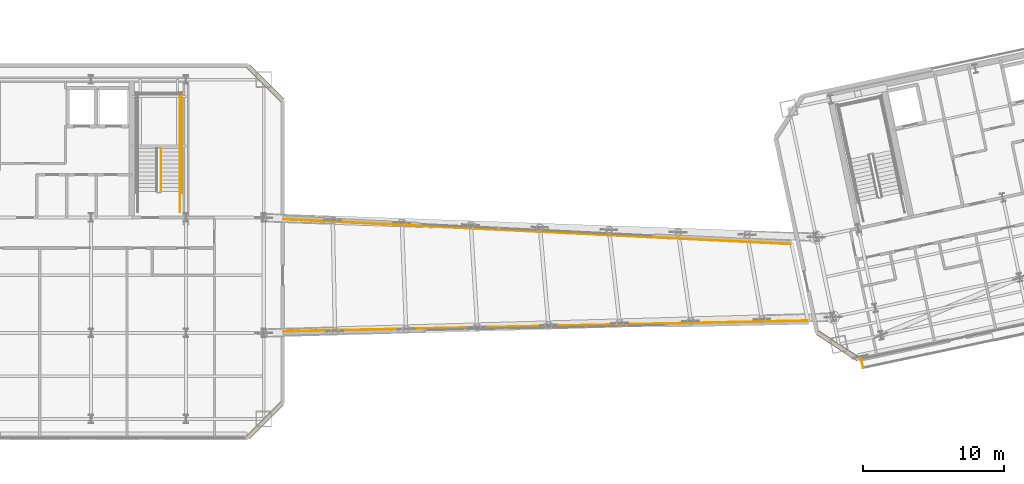
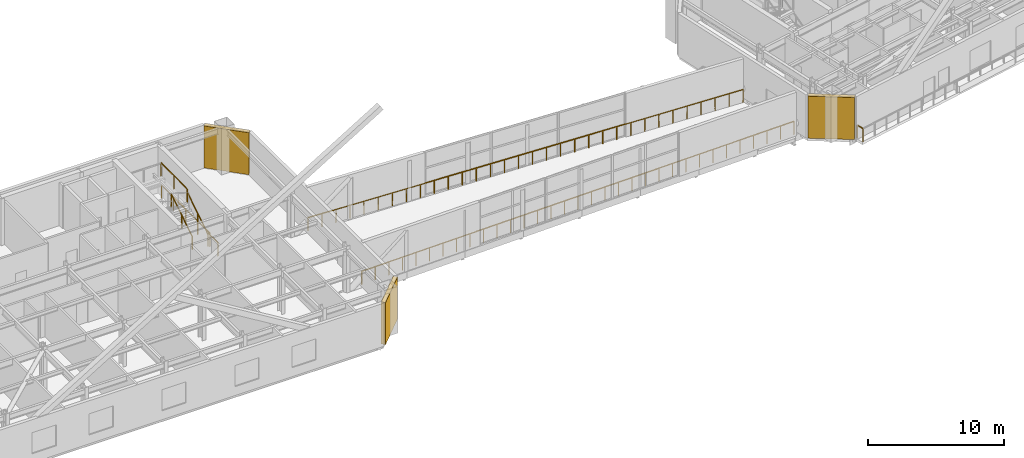
# One storey, part 22 of 23: 8 railings, 3 shading devices.
"""IFC4 building model written with IfcOpenShell, lengths in metres."""

from ifc_helpers import new_model, si_unit, direction, frame, origin, origin_2d, place, context, subcontext, project, spatial, rectangle, extrude, material, layer, layer_set, type_object, element, save


model = new_model("IFC4")

# Units and contexts
model_context = context("Model", 3, precision=1e-05, world=origin(), true_north=direction((0.0, 1.0)))
body_context = subcontext(model_context, "Body", "Model", "MODEL_VIEW")
ifc_project = project(units=[si_unit("LENGTHUNIT", "METRE"), si_unit("AREAUNIT", "SQUARE_METRE"), si_unit("VOLUMEUNIT", "CUBIC_METRE"), si_unit("PLANEANGLEUNIT", "RADIAN"), si_unit("MASSUNIT", "GRAM", prefix="KILO")], contexts=[model_context])

# Site, building, storey
site_placement = place(None, origin())
site = spatial("IfcSite", under=ifc_project, at=site_placement, CompositionType="ELEMENT")
building_placement = place(site_placement, origin())
building = spatial("IfcBuilding", under=site, at=building_placement, Name="Haevon Station Towers", CompositionType="ELEMENT")
storey_placement = place(building_placement, frame((0.0, 0.0, 197.10009765625)))
storey = spatial("IfcBuildingStorey", under=building, at=storey_placement, Name="L54", CompositionType="ELEMENT", Elevation=197.10009765625)

# Railings
ifc_material_1 = material(Name="Steel S355", Category="steel")
railing_type_1 = type_object("IfcRailingType", Name="GRD-EXT1200", PredefinedType="GUARDRAIL", material=ifc_material_1)
railing_1_placement = place(storey_placement, frame((98.9697265625, 28.1474609375, 0.0)))
element("IfcRailing", 1, at=railing_1_placement, inside=storey, type_object=railing_type_1, Name="L54 Perimeter Guardrail 3", PredefinedType="GUARDRAIL", context=body_context, shape_type="SweptSolid", body=[
    extrude(rectangle(XDim=0.048095703125, YDim=0.048095703125, at=origin_2d()), frame((0.0, 0.0, 1.17578125), z_axis=(0.20778471153, -0.9781745824, 0.0), x_axis=(0.9781745824, 0.20778471153, 0.0)), (0.0, 0.0, 1.0), 0.630859375),
    extrude(rectangle(XDim=0.0419921875, YDim=0.0419921875, at=origin_2d()), origin(), (0.0, 0.0, 1.0), 1.15185546875),
    extrude(rectangle(XDim=0.0419921875, YDim=0.0419921875, at=origin_2d()), frame((0.131103515625, -0.6171875, 0.0)), (0.0, 0.0, 1.0), 1.15185546875),
])
railing_2_placement = place(storey_placement, frame((57.929931640625, 30.1201171875, 0.0)))
element("IfcRailing", 2, at=railing_2_placement, inside=storey, type_object=railing_type_1, Name="L54 Sky-Park Gallery S Guardrail", PredefinedType="GUARDRAIL", context=body_context, shape_type="SweptSolid", body=[
    extrude(rectangle(XDim=0.048095703125, YDim=0.048095703125, at=origin_2d()), frame((0.0, 0.0, 1.17578125), z_axis=(0.99979134878, 0.020426916195, 0.0), x_axis=(-0.020426916195, 0.99979134878, 0.0)), (0.0, 0.0, 1.0), 37.2421875),
    extrude(rectangle(XDim=0.0419921875, YDim=0.0419921875, at=origin_2d()), origin(), (0.0, 0.0, 1.0), 1.15185546875),
    extrude(rectangle(XDim=0.0419921875, YDim=0.0419921875, at=origin_2d()), frame((1.16357421875, 0.023681640625, 0.0)), (0.0, 0.0, 1.0), 1.15185546875),
    extrude(rectangle(XDim=0.0419921875, YDim=0.0419921875, at=origin_2d()), frame((2.3271484375, 0.047607421875, 0.0)), (0.0, 0.0, 1.0), 1.15185546875),
    extrude(rectangle(XDim=0.0419921875, YDim=0.0419921875, at=origin_2d()), frame((3.49072265625, 0.0712890625, 0.0)), (0.0, 0.0, 1.0), 1.15185546875),
    extrude(rectangle(XDim=0.0419921875, YDim=0.0419921875, at=origin_2d()), frame((4.654296875, 0.09521484375, 0.0)), (0.0, 0.0, 1.0), 1.15185546875),
    extrude(rectangle(XDim=0.0419921875, YDim=0.0419921875, at=origin_2d()), frame((5.81787109375, 0.118896484375, 0.0)), (0.0, 0.0, 1.0), 1.15185546875),
    extrude(rectangle(XDim=0.0419921875, YDim=0.0419921875, at=origin_2d()), frame((6.9814453125, 0.142578125, 0.0)), (0.0, 0.0, 1.0), 1.15185546875),
    extrude(rectangle(XDim=0.0419921875, YDim=0.0419921875, at=origin_2d()), frame((8.14501953125, 0.16650390625, 0.0)), (0.0, 0.0, 1.0), 1.15185546875),
    extrude(rectangle(XDim=0.0419921875, YDim=0.0419921875, at=origin_2d()), frame((9.30859375, 0.190185546875, 0.0)), (0.0, 0.0, 1.0), 1.15185546875),
    extrude(rectangle(XDim=0.0419921875, YDim=0.0419921875, at=origin_2d()), frame((10.47216796875, 0.2138671875, 0.0)), (0.0, 0.0, 1.0), 1.15185546875),
    extrude(rectangle(XDim=0.0419921875, YDim=0.0419921875, at=origin_2d()), frame((11.6357421875, 0.23779296875, 0.0)), (0.0, 0.0, 1.0), 1.15185546875),
    extrude(rectangle(XDim=0.0419921875, YDim=0.0419921875, at=origin_2d()), frame((12.79931640625, 0.261474609375, 0.0)), (0.0, 0.0, 1.0), 1.15185546875),
    extrude(rectangle(XDim=0.0419921875, YDim=0.0419921875, at=origin_2d()), frame((13.962890625, 0.28515625, 0.0)), (0.0, 0.0, 1.0), 1.15185546875),
    extrude(rectangle(XDim=0.0419921875, YDim=0.0419921875, at=origin_2d()), frame((15.12646484375, 0.30908203125, 0.0)), (0.0, 0.0, 1.0), 1.15185546875),
    extrude(rectangle(XDim=0.0419921875, YDim=0.0419921875, at=origin_2d()), frame((16.2900390625, 0.332763671875, 0.0)), (0.0, 0.0, 1.0), 1.15185546875),
    extrude(rectangle(XDim=0.0419921875, YDim=0.0419921875, at=origin_2d()), frame((17.45361328125, 0.356689453125, 0.0)), (0.0, 0.0, 1.0), 1.15185546875),
    extrude(rectangle(XDim=0.0419921875, YDim=0.0419921875, at=origin_2d()), frame((18.6171875, 0.38037109375, 0.0)), (0.0, 0.0, 1.0), 1.15185546875),
    extrude(rectangle(XDim=0.0419921875, YDim=0.0419921875, at=origin_2d()), frame((19.78076171875, 0.404052734375, 0.0)), (0.0, 0.0, 1.0), 1.15185546875),
    extrude(rectangle(XDim=0.0419921875, YDim=0.0419921875, at=origin_2d()), frame((20.9443359375, 0.427978515625, 0.0)), (0.0, 0.0, 1.0), 1.15185546875),
    extrude(rectangle(XDim=0.0419921875, YDim=0.0419921875, at=origin_2d()), frame((22.10791015625, 0.45166015625, 0.0)), (0.0, 0.0, 1.0), 1.15185546875),
    extrude(rectangle(XDim=0.0419921875, YDim=0.0419921875, at=origin_2d()), frame((23.271484375, 0.4755859375, 0.0)), (0.0, 0.0, 1.0), 1.15185546875),
    extrude(rectangle(XDim=0.0419921875, YDim=0.0419921875, at=origin_2d()), frame((24.43505859375, 0.499267578125, 0.0)), (0.0, 0.0, 1.0), 1.15185546875),
    extrude(rectangle(XDim=0.0419921875, YDim=0.0419921875, at=origin_2d()), frame((25.5986328125, 0.52294921875, 0.0)), (0.0, 0.0, 1.0), 1.15185546875),
    extrude(rectangle(XDim=0.0419921875, YDim=0.0419921875, at=origin_2d()), frame((26.76220703125, 0.546875, 0.0)), (0.0, 0.0, 1.0), 1.15185546875),
    extrude(rectangle(XDim=0.0419921875, YDim=0.0419921875, at=origin_2d()), frame((27.92578125, 0.570556640625, 0.0)), (0.0, 0.0, 1.0), 1.15185546875),
    extrude(rectangle(XDim=0.0419921875, YDim=0.0419921875, at=origin_2d()), frame((29.08935546875, 0.59423828125, 0.0)), (0.0, 0.0, 1.0), 1.15185546875),
    extrude(rectangle(XDim=0.0419921875, YDim=0.0419921875, at=origin_2d()), frame((30.2529296875, 0.6181640625, 0.0)), (0.0, 0.0, 1.0), 1.15185546875),
    extrude(rectangle(XDim=0.0419921875, YDim=0.0419921875, at=origin_2d()), frame((31.41650390625, 0.641845703125, 0.0)), (0.0, 0.0, 1.0), 1.15185546875),
    extrude(rectangle(XDim=0.0419921875, YDim=0.0419921875, at=origin_2d()), frame((32.580078125, 0.66552734375, 0.0)), (0.0, 0.0, 1.0), 1.15185546875),
    extrude(rectangle(XDim=0.0419921875, YDim=0.0419921875, at=origin_2d()), frame((33.74365234375, 0.689453125, 0.0)), (0.0, 0.0, 1.0), 1.15185546875),
    extrude(rectangle(XDim=0.0419921875, YDim=0.0419921875, at=origin_2d()), frame((34.9072265625, 0.713134765625, 0.0)), (0.0, 0.0, 1.0), 1.15185546875),
    extrude(rectangle(XDim=0.0419921875, YDim=0.0419921875, at=origin_2d()), frame((36.07080078125, 0.737060546875, 0.0)), (0.0, 0.0, 1.0), 1.15185546875),
    extrude(rectangle(XDim=0.0419921875, YDim=0.0419921875, at=origin_2d()), frame((37.234375, 0.7607421875, 0.0)), (0.0, 0.0, 1.0), 1.15185546875),
])
railing_3_placement = place(storey_placement, frame((57.929931640625, 38.080078125, 0.0)))
element("IfcRailing", 3, at=railing_3_placement, inside=storey, type_object=railing_type_1, Name="L54 Sky-Park Gallery N Guardrail", PredefinedType="GUARDRAIL", context=body_context, shape_type="SweptSolid", body=[
    extrude(rectangle(XDim=0.048095703125, YDim=0.048095703125, at=origin_2d()), frame((0.0, 0.0, 1.17578125), z_axis=(0.998800674, -0.048961348194, 0.0), x_axis=(0.048961348194, 0.998800674, 0.0)), (0.0, 0.0, 1.0), 36.071533203125),
    extrude(rectangle(XDim=0.0419921875, YDim=0.0419921875, at=origin_2d()), origin(), (0.0, 0.0, 1.0), 1.15185546875),
    extrude(rectangle(XDim=0.0419921875, YDim=0.0419921875, at=origin_2d()), frame((1.162109375, -0.056884765625, 0.0)), (0.0, 0.0, 1.0), 1.15185546875),
    extrude(rectangle(XDim=0.0419921875, YDim=0.0419921875, at=origin_2d()), frame((2.324462890625, -0.114013671875, 0.0)), (0.0, 0.0, 1.0), 1.15185546875),
    extrude(rectangle(XDim=0.0419921875, YDim=0.0419921875, at=origin_2d()), frame((3.486572265625, -0.1708984375, 0.0)), (0.0, 0.0, 1.0), 1.15185546875),
    extrude(rectangle(XDim=0.0419921875, YDim=0.0419921875, at=origin_2d()), frame((4.64892578125, -0.227783203125, 0.0)), (0.0, 0.0, 1.0), 1.15185546875),
    extrude(rectangle(XDim=0.0419921875, YDim=0.0419921875, at=origin_2d()), frame((5.81103515625, -0.284912109375, 0.0)), (0.0, 0.0, 1.0), 1.15185546875),
    extrude(rectangle(XDim=0.0419921875, YDim=0.0419921875, at=origin_2d()), frame((6.97314453125, -0.341796875, 0.0)), (0.0, 0.0, 1.0), 1.15185546875),
    extrude(rectangle(XDim=0.0419921875, YDim=0.0419921875, at=origin_2d()), frame((8.135498046875, -0.398681640625, 0.0)), (0.0, 0.0, 1.0), 1.15185546875),
    extrude(rectangle(XDim=0.0419921875, YDim=0.0419921875, at=origin_2d()), frame((9.297607421875, -0.455810546875, 0.0)), (0.0, 0.0, 1.0), 1.15185546875),
    extrude(rectangle(XDim=0.0419921875, YDim=0.0419921875, at=origin_2d()), frame((10.459716796875, -0.5126953125, 0.0)), (0.0, 0.0, 1.0), 1.15185546875),
    extrude(rectangle(XDim=0.0419921875, YDim=0.0419921875, at=origin_2d()), frame((11.6220703125, -0.56982421875, 0.0)), (0.0, 0.0, 1.0), 1.15185546875),
    extrude(rectangle(XDim=0.0419921875, YDim=0.0419921875, at=origin_2d()), frame((12.7841796875, -0.626708984375, 0.0)), (0.0, 0.0, 1.0), 1.15185546875),
    extrude(rectangle(XDim=0.0419921875, YDim=0.0419921875, at=origin_2d()), frame((13.946533203125, -0.68359375, 0.0)), (0.0, 0.0, 1.0), 1.15185546875),
    extrude(rectangle(XDim=0.0419921875, YDim=0.0419921875, at=origin_2d()), frame((15.108642578125, -0.74072265625, 0.0)), (0.0, 0.0, 1.0), 1.15185546875),
    extrude(rectangle(XDim=0.0419921875, YDim=0.0419921875, at=origin_2d()), frame((16.270751953125, -0.797607421875, 0.0)), (0.0, 0.0, 1.0), 1.15185546875),
    extrude(rectangle(XDim=0.0419921875, YDim=0.0419921875, at=origin_2d()), frame((17.43310546875, -0.8544921875, 0.0)), (0.0, 0.0, 1.0), 1.15185546875),
    extrude(rectangle(XDim=0.0419921875, YDim=0.0419921875, at=origin_2d()), frame((18.59521484375, -0.91162109375, 0.0)), (0.0, 0.0, 1.0), 1.15185546875),
    extrude(rectangle(XDim=0.0419921875, YDim=0.0419921875, at=origin_2d()), frame((19.757568359375, -0.968505859375, 0.0)), (0.0, 0.0, 1.0), 1.15185546875),
    extrude(rectangle(XDim=0.0419921875, YDim=0.0419921875, at=origin_2d()), frame((20.919677734375, -1.025390625, 0.0)), (0.0, 0.0, 1.0), 1.15185546875),
    extrude(rectangle(XDim=0.0419921875, YDim=0.0419921875, at=origin_2d()), frame((22.081787109375, -1.08251953125, 0.0)), (0.0, 0.0, 1.0), 1.15185546875),
    extrude(rectangle(XDim=0.0419921875, YDim=0.0419921875, at=origin_2d()), frame((23.244140625, -1.139404296875, 0.0)), (0.0, 0.0, 1.0), 1.15185546875),
    extrude(rectangle(XDim=0.0419921875, YDim=0.0419921875, at=origin_2d()), frame((24.40625, -1.1962890625, 0.0)), (0.0, 0.0, 1.0), 1.15185546875),
    extrude(rectangle(XDim=0.0419921875, YDim=0.0419921875, at=origin_2d()), frame((25.568603515625, -1.25341796875, 0.0)), (0.0, 0.0, 1.0), 1.15185546875),
    extrude(rectangle(XDim=0.0419921875, YDim=0.0419921875, at=origin_2d()), frame((26.730712890625, -1.310302734375, 0.0)), (0.0, 0.0, 1.0), 1.15185546875),
    extrude(rectangle(XDim=0.0419921875, YDim=0.0419921875, at=origin_2d()), frame((27.892822265625, -1.367431640625, 0.0)), (0.0, 0.0, 1.0), 1.15185546875),
    extrude(rectangle(XDim=0.0419921875, YDim=0.0419921875, at=origin_2d()), frame((29.05517578125, -1.42431640625, 0.0)), (0.0, 0.0, 1.0), 1.15185546875),
    extrude(rectangle(XDim=0.0419921875, YDim=0.0419921875, at=origin_2d()), frame((30.21728515625, -1.481201171875, 0.0)), (0.0, 0.0, 1.0), 1.15185546875),
    extrude(rectangle(XDim=0.0419921875, YDim=0.0419921875, at=origin_2d()), frame((31.37939453125, -1.538330078125, 0.0)), (0.0, 0.0, 1.0), 1.15185546875),
    extrude(rectangle(XDim=0.0419921875, YDim=0.0419921875, at=origin_2d()), frame((32.541748046875, -1.59521484375, 0.0)), (0.0, 0.0, 1.0), 1.15185546875),
    extrude(rectangle(XDim=0.0419921875, YDim=0.0419921875, at=origin_2d()), frame((33.703857421875, -1.652099609375, 0.0)), (0.0, 0.0, 1.0), 1.15185546875),
    extrude(rectangle(XDim=0.0419921875, YDim=0.0419921875, at=origin_2d()), frame((34.8662109375, -1.709228515625, 0.0)), (0.0, 0.0, 1.0), 1.15185546875),
    extrude(rectangle(XDim=0.0419921875, YDim=0.0419921875, at=origin_2d()), frame((36.0283203125, -1.76611328125, 0.0)), (0.0, 0.0, 1.0), 1.15185546875),
])
railing_type_2 = type_object("IfcRailingType", Name="GRD-STR1200", PredefinedType="GUARDRAIL", material=ifc_material_1)
railing_4_placement = place(storey_placement, frame((49.219970703125, 40.050048828125, 0.1748046875)))
element("IfcRailing", 4, at=railing_4_placement, inside=storey, type_object=railing_type_2, Name="L54 ST2 Stair Guard 1", PredefinedType="GUARDRAIL", context=body_context, shape_type="SweptSolid", body=[
    extrude(rectangle(XDim=0.048095703125, YDim=0.048095703125, at=origin_2d()), frame((0.0, 0.0, 1.17578125), z_axis=(0.0, 0.847979421464, 0.530029150871), x_axis=(-1.0, 0.0, 0.0)), (0.0, 0.0, 1.0), 3.632080078125),
    extrude(rectangle(XDim=0.0419921875, YDim=0.0419921875, at=origin_2d()), origin(), (0.0, 0.0, 1.0), 1.15185546875),
    extrude(rectangle(XDim=0.0419921875, YDim=0.0419921875, at=origin_2d()), frame((0.0, 1.5400390625, 0.96240234375)), (0.0, 0.0, 1.0), 1.15185546875),
    extrude(rectangle(XDim=0.0419921875, YDim=0.0419921875, at=origin_2d()), frame((0.0, 3.079833984375, 1.925048828125)), (0.0, 0.0, 1.0), 1.15185546875),
])
railing_5_placement = place(storey_placement, frame((50.570068359375, 43.1298828125, 2.099853515625)))
element("IfcRailing", 5, at=railing_5_placement, inside=storey, type_object=railing_type_2, Name="L54 ST2 Stair Guard 3", PredefinedType="GUARDRAIL", context=body_context, shape_type="SweptSolid", body=[
    extrude(rectangle(XDim=0.048095703125, YDim=0.048095703125, at=origin_2d()), frame((0.0, 0.0, 1.17578125), z_axis=(0.0, 1.0, 0.0), x_axis=(-1.0, 0.0, 0.0)), (0.0, 0.0, 1.0), 3.8701171875),
    extrude(rectangle(XDim=0.0419921875, YDim=0.0419921875, at=origin_2d()), origin(), (0.0, 0.0, 1.0), 1.15185546875),
    extrude(rectangle(XDim=0.0419921875, YDim=0.0419921875, at=origin_2d()), frame((0.0, 1.93505859375, 0.0)), (0.0, 0.0, 1.0), 1.15185546875),
    extrude(rectangle(XDim=0.0419921875, YDim=0.0419921875, at=origin_2d()), frame((0.0, 3.8701171875, 0.0)), (0.0, 0.0, 1.0), 1.15185546875),
])
railing_6_placement = place(storey_placement, frame((50.570068359375, 38.60009765625, 0.0)))
element("IfcRailing", 6, at=railing_6_placement, inside=storey, type_object=railing_type_2, Name="L54 ST2 Stair Guard 8", PredefinedType="GUARDRAIL", context=body_context, shape_type="SweptSolid", body=[
    extrude(rectangle(XDim=0.048095703125, YDim=0.048095703125, at=origin_2d()), frame((0.0, 0.0, 1.17578125), z_axis=(0.0, 1.0, 0.0), x_axis=(-1.0, 0.0, 0.0)), (0.0, 0.0, 1.0), 1.449951171875),
    extrude(rectangle(XDim=0.0419921875, YDim=0.0419921875, at=origin_2d()), origin(), (0.0, 0.0, 1.0), 1.15185546875),
    extrude(rectangle(XDim=0.0419921875, YDim=0.0419921875, at=origin_2d()), frame((0.0, 1.449951171875, 0.0)), (0.0, 0.0, 1.0), 1.15185546875),
])
railing_7_placement = place(storey_placement, frame((50.669921875, 39.949951171875, 0.0)))
element("IfcRailing", 7, at=railing_7_placement, inside=storey, type_object=railing_type_2, Name="L54 ST2 Stair Guard 10", PredefinedType="GUARDRAIL", context=body_context, shape_type="SweptSolid", body=[
    extrude(rectangle(XDim=0.048095703125, YDim=0.048095703125, at=origin_2d()), frame((0.0, 0.0, 1.17578125), z_axis=(0.0, 1.0, 0.0), x_axis=(-1.0, 0.0, 0.0)), (0.0, 0.0, 1.0), 7.150146484375),
    extrude(rectangle(XDim=0.0419921875, YDim=0.0419921875, at=origin_2d()), origin(), (0.0, 0.0, 1.0), 1.15185546875),
    extrude(rectangle(XDim=0.0419921875, YDim=0.0419921875, at=origin_2d()), frame((0.0, 1.78759765625, 0.0)), (0.0, 0.0, 1.0), 1.15185546875),
    extrude(rectangle(XDim=0.0419921875, YDim=0.0419921875, at=origin_2d()), frame((0.0, 3.5751953125, 0.0)), (0.0, 0.0, 1.0), 1.15185546875),
    extrude(rectangle(XDim=0.0419921875, YDim=0.0419921875, at=origin_2d()), frame((0.0, 5.362548828125, 0.0)), (0.0, 0.0, 1.0), 1.15185546875),
    extrude(rectangle(XDim=0.0419921875, YDim=0.0419921875, at=origin_2d()), frame((0.0, 7.150146484375, 0.0)), (0.0, 0.0, 1.0), 1.15185546875),
])
railing_type_3 = type_object("IfcRailingType", Name="HND-STR900", PredefinedType="HANDRAIL", material=ifc_material_1)
railing_8_placement = place(storey_placement, frame((50.570068359375, 40.050048828125, 0.1748046875)))
element("IfcRailing", 8, at=railing_8_placement, inside=storey, type_object=railing_type_3, Name="L54 ST2 Stair Handrail 1", PredefinedType="HANDRAIL", context=body_context, shape_type="SweptSolid", body=[
    extrude(rectangle(XDim=0.048095703125, YDim=0.048095703125, at=origin_2d()), frame((0.0, 0.0, 0.8759765625), z_axis=(0.0, 0.847979421464, 0.530029150871), x_axis=(-1.0, 0.0, 0.0)), (0.0, 0.0, 1.0), 3.632080078125),
    extrude(rectangle(XDim=0.0419921875, YDim=0.0419921875, at=origin_2d()), origin(), (0.0, 0.0, 1.0), 0.851806640625),
    extrude(rectangle(XDim=0.0419921875, YDim=0.0419921875, at=origin_2d()), frame((0.0, 1.5400390625, 0.96240234375)), (0.0, 0.0, 1.0), 0.851806640625),
    extrude(rectangle(XDim=0.0419921875, YDim=0.0419921875, at=origin_2d()), frame((0.0, 3.079833984375, 1.925048828125)), (0.0, 0.0, 1.0), 0.851806640625),
])

# Shading devices
ifc_material_2 = material(Name="Anodised aluminium 6063-T6", Category="aluminium")
ifc_layer = layer(ifc_material_2, 0.139892578125)
ifc_layer_set = layer_set([ifc_layer], Name="Anodised aluminium 6063-T6")
shading_device_type = type_object("IfcShadingDeviceType", Name="SHD-WIND-BAFFLE", PredefinedType="SHUTTER", material=ifc_layer_set)
for number, where, z_axis, x_axis, name in (
    (9, (56.625, 47.75, 0.0498046875), (0.0, 0.0, 1.0), (0.707106781187, -0.707106781187, 0.0), "Tower 1 L54 Wind-Corner Aerofoil Baffle NEC"),
    (10, (56.625, 23.800048828125, 0.0498046875), (0.0, 0.0, 1.0), (-0.707106781187, -0.707106781187, 0.0), "Tower 1 L54 Wind-Corner Aerofoil Baffle SEC"),
    (11, (97.3095703125, 29.07958984375, 0.0498046875), (0.0, 0.0, 1.0), (-0.838670519647, 0.544639109388, 0.0), "Tower 2 L54 Wind-Corner Aerofoil Baffle SWC"),
):
    element("IfcShadingDevice", number, at=place(storey_placement, frame(where, z_axis=z_axis, x_axis=x_axis)), inside=storey, type_object=shading_device_type, Name=name, PredefinedType="SHUTTER", context=body_context, shape_type="SweptSolid", body=[
        extrude(rectangle(XDim=3.435546875, YDim=0.340087890625, at=origin_2d()), origin(), (0.0, 0.0, 1.0), 3.780029296875),
    ])

save(model, "model.ifc")
